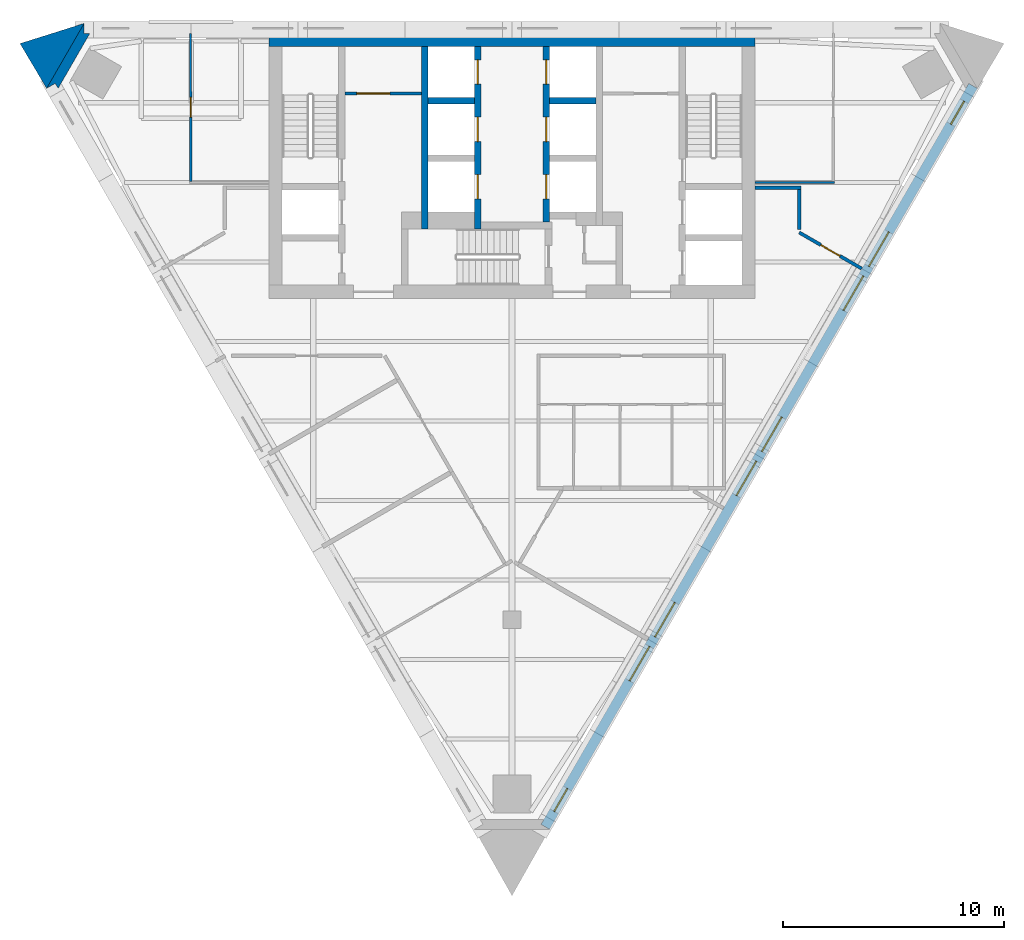
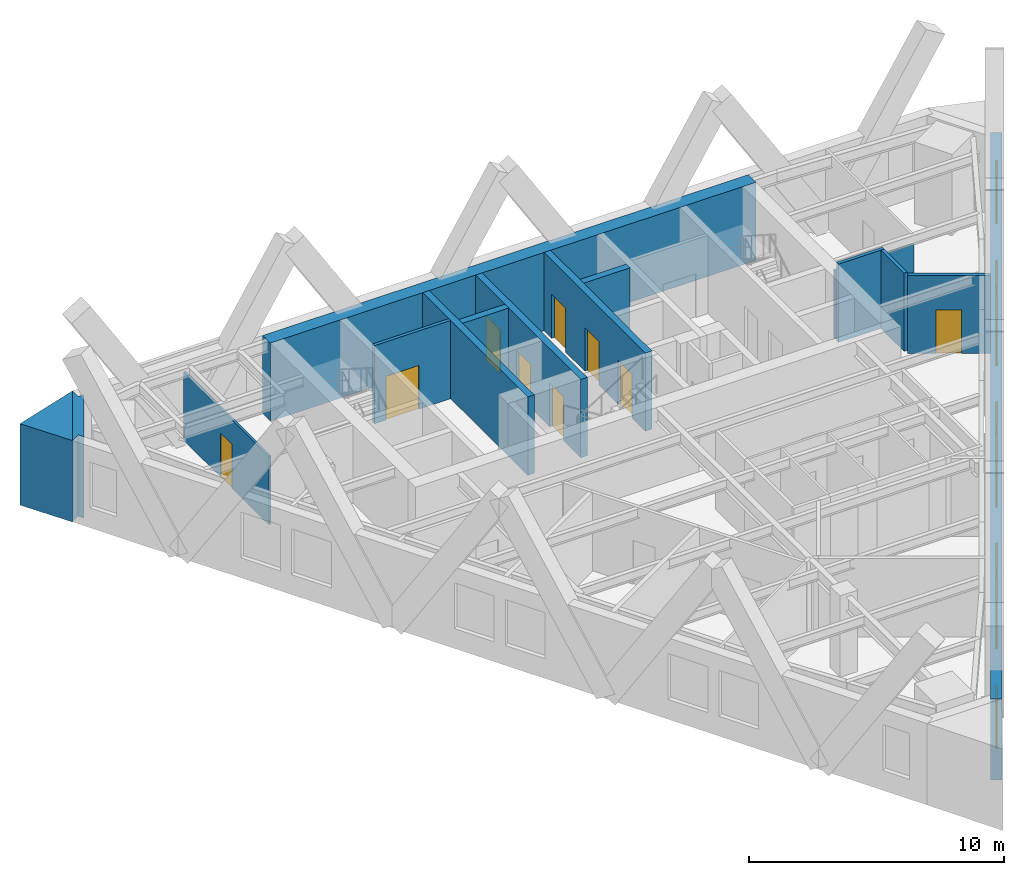
# One storey, part 5 of 7: 15 walls, 9 doors, 8 windows, 17 openings.
"""IFC4 building model written with IfcOpenShell, lengths in metres."""

from ifc_helpers import new_model, si_unit, direction, frame, frame_2d, origin, place, context, subcontext, project, spatial, polyline, rectangle, outline, extrude, material, layer, layer_set, type_object, element, fill, save


model = new_model("IFC4")

# Units and contexts
model_context = context("Model", 3, precision=1e-05, world=origin(), true_north=direction((0.0, 1.0)))
body_context = subcontext(model_context, "Body", "Model", "MODEL_VIEW")
ifc_project = project(units=[si_unit("LENGTHUNIT", "METRE"), si_unit("AREAUNIT", "SQUARE_METRE"), si_unit("VOLUMEUNIT", "CUBIC_METRE"), si_unit("PLANEANGLEUNIT", "RADIAN"), si_unit("MASSUNIT", "GRAM", prefix="KILO")], contexts=[model_context])

# Site, building, storey
site_placement = place(None, origin())
site = spatial("IfcSite", under=ifc_project, at=site_placement, CompositionType="ELEMENT")
building_placement = place(site_placement, origin())
building = spatial("IfcBuilding", under=site, at=building_placement, Name="Aloe Facet Convention Tower", CompositionType="ELEMENT")
storey_placement = place(building_placement, frame((0.0, 0.0, 188.0)))
storey = spatial("IfcBuildingStorey", under=building, at=storey_placement, Name="L47", CompositionType="ELEMENT", Elevation=188.0)

# Wall, opening, door
ifc_material_1 = material(Name="Concrete blockwork partition", Category="masonry")
ifc_layer_1 = layer(ifc_material_1, 0.14990234375)
ifc_layer_set_1 = layer_set([ifc_layer_1], Name="CR-W-PART150")
wall_type_1 = type_object("IfcWallType", Name="CR-W-PART150", PredefinedType="PARTITIONING", material=ifc_layer_set_1)
wall_1_placement = place(storey_placement, frame((72.449951171875, 131.824951171875, 0.0), z_axis=(0.0, 0.0, 1.0), x_axis=(1.0, 0.0, 0.0)))
wall_1 = element("IfcWall", 1, at=wall_1_placement, inside=storey, type_object=wall_type_1, Name="Core partition L47-007", PredefinedType="PARTITIONING", context=body_context, shape_type="SweptSolid", body=[
    extrude(rectangle(XDim=3.449951171875, YDim=0.14990234375, at=frame_2d((1.72509765625, 0.0))), origin(), (0.0, 0.0, 1.0), 3.75),
])
opening_1_placement = place(wall_1_placement, frame((0.52490234375, 0.0, 0.0)))
opening_1 = element("IfcOpeningElement", 2, at=opening_1_placement, cuts=wall_1, Name="Opening L47-CD14", PredefinedType="OPENING", context=body_context, shape_type="SweptSolid", body=[
    extrude(rectangle(XDim=1.5, YDim=2.10009765625, at=frame_2d((0.75, 1.050048828125))), frame((0.0, 0.0849609375, 0.0), z_axis=(0.0, -1.0, 0.0), x_axis=(1.0, 0.0, 0.0)), (0.0, 0.0, 1.0), 0.169921875),
])
ifc_material_2 = material(Name="Steel fire-resisting door set FD60", Category="steel")
door_type_1 = type_object("IfcDoorType", Name="CR-D-REFUGE-1500-FD60-DD", OperationType="DOUBLE_DOOR_DOUBLE_SWING", PredefinedType="DOOR", material=ifc_material_2)
door_1_placement = place(opening_1_placement, origin())
door_1 = element("IfcDoor", 3, at=door_1_placement, inside=storey, type_object=door_type_1, Name="Core door L47-CD14", OperationType="DOUBLE_DOOR_DOUBLE_SWING", OverallHeight=2.10009765625, OverallWidth=1.5, PredefinedType="DOOR", context=body_context, shape_type="SweptSolid", body=[
    extrude(rectangle(XDim=1.5, YDim=2.10009765625, at=frame_2d((0.75, 1.050048828125))), frame((0.0, 0.02490234375, 0.0), z_axis=(0.0, -1.0, 0.0), x_axis=(1.0, 0.0, 0.0)), (0.0, 0.0, 1.0), 0.050048828125),
])
fill(opening_1, door_1)

# Walls
ifc_material_3 = material(Name="Concrete C50/60", Category="concrete")
ifc_layer_2 = layer(ifc_material_3, 0.300048828125)
ifc_layer_set_2 = layer_set([ifc_layer_2], Name="CR-W-RC300-C5060")
wall_type_2 = type_object("IfcWallType", Name="CR-W-RC300-C5060", PredefinedType="SOLIDWALL", material=ifc_layer_set_2)
wall_2_placement = place(storey_placement, frame((76.050048828125, 133.949951171875, 0.0), z_axis=(0.0, 0.0, 1.0), x_axis=(0.0, -1.0, 0.0)))
element("IfcWall", 4, at=wall_2_placement, inside=storey, type_object=wall_type_2, Name="Core wall L47-010", PredefinedType="SOLIDWALL", context=body_context, shape_type="SweptSolid", body=[
    extrude(rectangle(XDim=8.25, YDim=0.300048828125, at=frame_2d((4.125, 0.0))), origin(), (0.0, 0.0, 1.0), 3.75),
])
wall_3_placement = place(storey_placement, frame((76.199951171875, 131.5, 0.0), z_axis=(0.0, 0.0, 1.0), x_axis=(1.0, 0.0, 0.0)))
element("IfcWall", 5, at=wall_3_placement, inside=storey, type_object=wall_type_2, Name="Core wall L47-011", PredefinedType="SOLIDWALL", context=body_context, shape_type="SweptSolid", body=[
    extrude(rectangle(XDim=2.10009765625, YDim=0.300048828125, at=frame_2d((1.050048828125, 0.0))), origin(), (0.0, 0.0, 1.0), 3.75),
])

# Wall, openings, doors
wall_4_placement = place(storey_placement, frame((78.449951171875, 133.949951171875, 0.0), z_axis=(0.0, 0.0, 1.0), x_axis=(0.0, -1.0, 0.0)))
wall_4 = element("IfcWall", 6, at=wall_4_placement, inside=storey, type_object=wall_type_2, Name="Core wall L47-014", PredefinedType="SOLIDWALL", context=body_context, shape_type="SweptSolid", body=[
    extrude(rectangle(XDim=8.25, YDim=0.300048828125, at=frame_2d((4.125, 0.0))), origin(), (0.0, 0.0, 1.0), 3.75),
])
opening_2_placement = place(wall_4_placement, frame((0.60009765625, 0.0, 0.0)))
opening_2 = element("IfcOpeningElement", 7, at=opening_2_placement, cuts=wall_4, Name="Opening LD-B1-L47", PredefinedType="OPENING", context=body_context, shape_type="SweptSolid", body=[
    extrude(rectangle(XDim=1.10009765625, YDim=2.10009765625, at=frame_2d((0.550048828125, 1.050048828125))), frame((0.0, 0.16015625, 0.0), z_axis=(0.0, -1.0, 0.0), x_axis=(1.0, 0.0, 0.0)), (0.0, 0.0, 1.0), 0.320068359375),
])
opening_3_placement = place(wall_4_placement, frame((3.199951171875, 0.0, 0.0)))
opening_3 = element("IfcOpeningElement", 8, at=opening_3_placement, cuts=wall_4, Name="Opening LD-B2-L47", PredefinedType="OPENING", context=body_context, shape_type="SweptSolid", body=[
    extrude(rectangle(XDim=1.10009765625, YDim=2.10009765625, at=frame_2d((0.550048828125, 1.050048828125))), frame((0.0, 0.16015625, 0.0), z_axis=(0.0, -1.0, 0.0), x_axis=(1.0, 0.0, 0.0)), (0.0, 0.0, 1.0), 0.320068359375),
])
opening_4_placement = place(wall_4_placement, frame((5.800048828125, 0.0, 0.0)))
opening_4 = element("IfcOpeningElement", 9, at=opening_4_placement, cuts=wall_4, Name="Opening LD-B3-L47", PredefinedType="OPENING", context=body_context, shape_type="SweptSolid", body=[
    extrude(rectangle(XDim=1.10009765625, YDim=2.10009765625, at=frame_2d((0.550048828125, 1.050048828125))), frame((0.0, 0.16015625, 0.0), z_axis=(0.0, -1.0, 0.0), x_axis=(1.0, 0.0, 0.0)), (0.0, 0.0, 1.0), 0.320068359375),
])
ifc_material_4 = material(Name="Stainless steel sliding landing door", Category="steel")
door_type_2 = type_object("IfcDoorType", Name="CR-LD-1100-FD60-RIGHT", OperationType="SLIDING_TO_RIGHT", PredefinedType="DOOR", material=ifc_material_4)
door_2_placement = place(opening_2_placement, origin())
door_2 = element("IfcDoor", 10, at=door_2_placement, inside=storey, type_object=door_type_2, Name="Landing door B1 L47", OperationType="SLIDING_TO_RIGHT", OverallHeight=2.10009765625, OverallWidth=1.10009765625, PredefinedType="DOOR", context=body_context, shape_type="SweptSolid", body=[
    extrude(rectangle(XDim=1.10009765625, YDim=2.10009765625, at=frame_2d((0.550048828125, 1.050048828125))), frame((0.0, 0.02490234375, 0.0), z_axis=(0.0, -1.0, 0.0), x_axis=(1.0, 0.0, 0.0)), (0.0, 0.0, 1.0), 0.050048828125),
])
fill(opening_2, door_2)
door_3_placement = place(opening_3_placement, origin())
door_3 = element("IfcDoor", 11, at=door_3_placement, inside=storey, type_object=door_type_2, Name="Landing door B2 L47", OperationType="SLIDING_TO_RIGHT", OverallHeight=2.10009765625, OverallWidth=1.10009765625, PredefinedType="DOOR", context=body_context, shape_type="SweptSolid", body=[
    extrude(rectangle(XDim=1.10009765625, YDim=2.10009765625, at=frame_2d((0.550048828125, 1.050048828125))), frame((0.0, 0.02490234375, 0.0), z_axis=(0.0, -1.0, 0.0), x_axis=(1.0, 0.0, 0.0)), (0.0, 0.0, 1.0), 0.050048828125),
])
fill(opening_3, door_3)
door_4_placement = place(opening_4_placement, origin())
door_4 = element("IfcDoor", 12, at=door_4_placement, inside=storey, type_object=door_type_2, Name="Landing door B3 L47", OperationType="SLIDING_TO_RIGHT", OverallHeight=2.10009765625, OverallWidth=1.10009765625, PredefinedType="DOOR", context=body_context, shape_type="SweptSolid", body=[
    extrude(rectangle(XDim=1.10009765625, YDim=2.10009765625, at=frame_2d((0.550048828125, 1.050048828125))), frame((0.0, 0.02490234375, 0.0), z_axis=(0.0, -1.0, 0.0), x_axis=(1.0, 0.0, 0.0)), (0.0, 0.0, 1.0), 0.050048828125),
])
fill(opening_4, door_4)

wall_5_placement = place(storey_placement, frame((81.550048828125, 133.949951171875, 0.0), z_axis=(0.0, 0.0, 1.0), x_axis=(0.0, -1.0, 0.0)))
wall_5 = element("IfcWall", 13, at=wall_5_placement, inside=storey, type_object=wall_type_2, Name="Core wall L47-016", PredefinedType="SOLIDWALL", context=body_context, shape_type="SweptSolid", body=[
    extrude(rectangle(XDim=7.949951171875, YDim=0.300048828125, at=frame_2d((3.97509765625, 0.0))), origin(), (0.0, 0.0, 1.0), 3.75),
])
opening_5_placement = place(wall_5_placement, frame((0.60009765625, 0.0, 0.0)))
opening_5 = element("IfcOpeningElement", 14, at=opening_5_placement, cuts=wall_5, Name="Opening LD-B4-L47", PredefinedType="OPENING", context=body_context, shape_type="SweptSolid", body=[
    extrude(rectangle(XDim=1.10009765625, YDim=2.10009765625, at=frame_2d((0.550048828125, 1.050048828125))), frame((0.0, 0.16015625, 0.0), z_axis=(0.0, -1.0, 0.0), x_axis=(1.0, 0.0, 0.0)), (0.0, 0.0, 1.0), 0.320068359375),
])
opening_6_placement = place(wall_5_placement, frame((3.199951171875, 0.0, 0.0)))
opening_6 = element("IfcOpeningElement", 15, at=opening_6_placement, cuts=wall_5, Name="Opening LD-B5-L47", PredefinedType="OPENING", context=body_context, shape_type="SweptSolid", body=[
    extrude(rectangle(XDim=1.10009765625, YDim=2.10009765625, at=frame_2d((0.550048828125, 1.050048828125))), frame((0.0, 0.16015625, 0.0), z_axis=(0.0, -1.0, 0.0), x_axis=(1.0, 0.0, 0.0)), (0.0, 0.0, 1.0), 0.320068359375),
])
opening_7_placement = place(wall_5_placement, frame((5.800048828125, 0.0, 0.0)))
opening_7 = element("IfcOpeningElement", 16, at=opening_7_placement, cuts=wall_5, Name="Opening LD-B6-L47", PredefinedType="OPENING", context=body_context, shape_type="SweptSolid", body=[
    extrude(rectangle(XDim=1.10009765625, YDim=2.10009765625, at=frame_2d((0.550048828125, 1.050048828125))), frame((0.0, 0.16015625, 0.0), z_axis=(0.0, -1.0, 0.0), x_axis=(1.0, 0.0, 0.0)), (0.0, 0.0, 1.0), 0.320068359375),
])
ifc_material_5 = material(Name="Stainless steel sliding landing door", Category="steel")
door_type_3 = type_object("IfcDoorType", Name="CR-LD-1100-FD60-_LEFT", OperationType="SLIDING_TO_LEFT", PredefinedType="DOOR", material=ifc_material_5)
door_5_placement = place(opening_5_placement, origin())
door_5 = element("IfcDoor", 17, at=door_5_placement, inside=storey, type_object=door_type_3, Name="Landing door B4 L47", OperationType="SLIDING_TO_LEFT", OverallHeight=2.10009765625, OverallWidth=1.10009765625, PredefinedType="DOOR", context=body_context, shape_type="SweptSolid", body=[
    extrude(rectangle(XDim=1.10009765625, YDim=2.10009765625, at=frame_2d((0.550048828125, 1.050048828125))), frame((0.0, 0.02490234375, 0.0), z_axis=(0.0, -1.0, 0.0), x_axis=(1.0, 0.0, 0.0)), (0.0, 0.0, 1.0), 0.050048828125),
])
fill(opening_5, door_5)
door_6_placement = place(opening_6_placement, origin())
door_6 = element("IfcDoor", 18, at=door_6_placement, inside=storey, type_object=door_type_3, Name="Landing door B5 L47", OperationType="SLIDING_TO_LEFT", OverallHeight=2.10009765625, OverallWidth=1.10009765625, PredefinedType="DOOR", context=body_context, shape_type="SweptSolid", body=[
    extrude(rectangle(XDim=1.10009765625, YDim=2.10009765625, at=frame_2d((0.550048828125, 1.050048828125))), frame((0.0, 0.02490234375, 0.0), z_axis=(0.0, -1.0, 0.0), x_axis=(1.0, 0.0, 0.0)), (0.0, 0.0, 1.0), 0.050048828125),
])
fill(opening_6, door_6)
door_7_placement = place(opening_7_placement, origin())
door_7 = element("IfcDoor", 19, at=door_7_placement, inside=storey, type_object=door_type_3, Name="Landing door B6 L47", OperationType="SLIDING_TO_LEFT", OverallHeight=2.10009765625, OverallWidth=1.10009765625, PredefinedType="DOOR", context=body_context, shape_type="SweptSolid", body=[
    extrude(rectangle(XDim=1.10009765625, YDim=2.10009765625, at=frame_2d((0.550048828125, 1.050048828125))), frame((0.0, 0.02490234375, 0.0), z_axis=(0.0, -1.0, 0.0), x_axis=(1.0, 0.0, 0.0)), (0.0, 0.0, 1.0), 0.050048828125),
])
fill(opening_7, door_7)

# Walls
wall_6_placement = place(storey_placement, frame((81.699951171875, 131.5, 0.0), z_axis=(0.0, 0.0, 1.0), x_axis=(1.0, 0.0, 0.0)))
element("IfcWall", 20, at=wall_6_placement, inside=storey, type_object=wall_type_2, Name="Core wall L47-018", PredefinedType="SOLIDWALL", context=body_context, shape_type="SweptSolid", body=[
    extrude(rectangle(XDim=2.10009765625, YDim=0.300048828125, at=frame_2d((1.050048828125, 0.0))), origin(), (0.0, 0.0, 1.0), 3.75),
])
ifc_material_6 = material(Name="Concrete C50/60", Category="concrete")
ifc_layer_3 = layer(ifc_material_6, 0.60009765625)
ifc_layer_set_3 = layer_set([ifc_layer_3], Name="CR-W-RC600-C5060")
wall_type_3 = type_object("IfcWallType", Name="CR-W-RC600-C5060", PredefinedType="SOLIDWALL", material=ifc_layer_set_3)
wall_7_placement = place(storey_placement, frame((69.0, 134.25, 0.0), z_axis=(0.0, 0.0, 1.0), x_axis=(1.0, 0.0, 0.0)))
element("IfcWall", 21, at=wall_7_placement, inside=storey, type_object=wall_type_3, Name="Core wall L47-001", PredefinedType="SOLIDWALL", context=body_context, shape_type="SweptSolid", body=[
    extrude(rectangle(XDim=22.0, YDim=0.60009765625, at=frame_2d((11.0, 0.0))), origin(), (0.0, 0.0, 1.0), 3.75),
])
ifc_material_7 = material(Name="Precast concrete C40/50", Category="concrete")
ifc_layer_4 = layer(ifc_material_7, 0.449951171875)
ifc_layer_set_4 = layer_set([ifc_layer_4], Name="EV-WALL-PIER")
wall_type_4 = type_object("IfcWallType", Name="EV-WALL-PIER", PredefinedType="SOLIDWALL", material=ifc_layer_set_4)
wall_8_placement = place(storey_placement, frame((0.0, 0.0, -0.14990234375)))
element("IfcWall", 22, at=wall_8_placement, inside=storey, type_object=wall_type_4, Name="EP-L47-A", PredefinedType="SOLIDWALL", context=body_context, shape_type="SweptSolid", body=[
    extrude(outline(polyline([(60.635498046875, 135.0), (60.635498046875, 134.550048828125), (60.895263671875, 134.550048828125), (59.455078125, 132.055419921875), (59.3251953125, 132.280517578125), (58.935302734375, 132.055419921875), (60.635498046875, 135.0)])), origin(), (0.0, 0.0, 1.0), 3.89990234375),
])
ifc_material_8 = material(Name="Precast concrete C40/50", Category="concrete")
ifc_layer_5 = layer(ifc_material_8, 3.947998046875)
ifc_layer_set_5 = layer_set([ifc_layer_5], Name="EV-WALL-SPINE")
wall_type_5 = type_object("IfcWallType", Name="EV-WALL-SPINE", PredefinedType="SOLIDWALL", material=ifc_layer_set_5)
wall_9_placement = place(storey_placement, frame((0.0, 0.0, -0.14990234375)))
element("IfcWall", 23, at=wall_9_placement, inside=storey, type_object=wall_type_5, Name="SP-NW-L47", PredefinedType="SOLIDWALL", context=body_context, shape_type="SweptSolid", body=[
    extrude(outline(polyline([(60.635498046875, 135.0), (57.72998046875, 134.08349609375), (58.935302734375, 132.055419921875), (60.635498046875, 135.0)])), origin(), (0.0, 0.0, 1.0), 3.89990234375),
])

# Wall, openings, windows
ifc_material_9 = material(Name="Precast concrete C40/50", Category="concrete")
ifc_layer_6 = layer(ifc_material_9, 0.449951171875)
ifc_layer_set_6 = layer_set([ifc_layer_6], Name="EV-WALL-STONE")
wall_type_6 = type_object("IfcWallType", Name="EV-WALL-STONE", PredefinedType="SOLIDWALL", material=ifc_layer_set_6)
wall_10_placement = place(storey_placement, frame((81.505126953125, 98.62744140625, -0.14990234375), z_axis=(0.0, 0.0, 1.0), x_axis=(0.500002199942, 0.866024133644, 0.0)))
wall_10 = element("IfcWall", 24, at=wall_10_placement, inside=storey, type_object=wall_type_6, Name="EW-L47-E01", PredefinedType="SOLIDWALL", context=body_context, shape_type="SweptSolid", body=[
    extrude(outline(polyline([(38.729248046875, 0.0), (38.729248046875, 3.89990234375), (0.0, 3.89990234375), (0.0, 0.0), (38.729248046875, 0.0)])), frame((0.0, 0.22509765625, 0.0), z_axis=(0.0, -1.0, 0.0), x_axis=(1.0, 0.0, 0.0)), (0.0, 0.0, 1.0), 0.449951171875),
])
opening_8_placement = place(wall_10_placement, frame((0.80712890625, 0.0, 0.949951171875)))
opening_8 = element("IfcOpeningElement", 25, at=opening_8_placement, cuts=wall_10, Name="Opening W-L47-E01", PredefinedType="OPENING", context=body_context, shape_type="SweptSolid", body=[
    extrude(rectangle(XDim=1.199951171875, YDim=2.199951171875, at=frame_2d((0.60009765625, 1.10009765625))), frame((0.0, 0.23486328125, 0.0), z_axis=(0.0, -1.0, 0.0), x_axis=(1.0, 0.0, 0.0)), (0.0, 0.0, 1.0), 0.469970703125),
])
opening_9_placement = place(wall_10_placement, frame((7.63232421875, 0.0, 0.949951171875)))
opening_9 = element("IfcOpeningElement", 26, at=opening_9_placement, cuts=wall_10, Name="Opening W-L47-E02", PredefinedType="OPENING", context=body_context, shape_type="SweptSolid", body=[
    extrude(rectangle(XDim=1.800048828125, YDim=2.199951171875, at=frame_2d((0.89990234375, 1.10009765625))), frame((0.0, 0.23486328125, 0.0), z_axis=(0.0, -1.0, 0.0), x_axis=(1.0, 0.0, 0.0)), (0.0, 0.0, 1.0), 0.469970703125),
])
opening_10_placement = place(wall_10_placement, frame((9.932373046875, 0.0, 0.949951171875)))
opening_10 = element("IfcOpeningElement", 27, at=opening_10_placement, cuts=wall_10, Name="Opening W-L47-E03", PredefinedType="OPENING", context=body_context, shape_type="SweptSolid", body=[
    extrude(rectangle(XDim=1.800048828125, YDim=2.199951171875, at=frame_2d((0.89990234375, 1.10009765625))), frame((0.0, 0.23486328125, 0.0), z_axis=(0.0, -1.0, 0.0), x_axis=(1.0, 0.0, 0.0)), (0.0, 0.0, 1.0), 0.469970703125),
])
opening_11_placement = place(wall_10_placement, frame((17.314697265625, 0.0, 0.949951171875)))
opening_11 = element("IfcOpeningElement", 28, at=opening_11_placement, cuts=wall_10, Name="Opening W-L47-E04", PredefinedType="OPENING", context=body_context, shape_type="SweptSolid", body=[
    extrude(rectangle(XDim=1.800048828125, YDim=2.199951171875, at=frame_2d((0.89990234375, 1.10009765625))), frame((0.0, 0.23486328125, 0.0), z_axis=(0.0, -1.0, 0.0), x_axis=(1.0, 0.0, 0.0)), (0.0, 0.0, 1.0), 0.469970703125),
])
opening_12_placement = place(wall_10_placement, frame((19.614501953125, 0.0, 0.949951171875)))
opening_12 = element("IfcOpeningElement", 29, at=opening_12_placement, cuts=wall_10, Name="Opening W-L47-E05", PredefinedType="OPENING", context=body_context, shape_type="SweptSolid", body=[
    extrude(rectangle(XDim=1.800048828125, YDim=2.199951171875, at=frame_2d((0.89990234375, 1.10009765625))), frame((0.0, 0.23486328125, 0.0), z_axis=(0.0, -1.0, 0.0), x_axis=(1.0, 0.0, 0.0)), (0.0, 0.0, 1.0), 0.469970703125),
])
opening_13_placement = place(wall_10_placement, frame((26.996826171875, 0.0, 0.949951171875)))
opening_13 = element("IfcOpeningElement", 30, at=opening_13_placement, cuts=wall_10, Name="Opening W-L47-E06", PredefinedType="OPENING", context=body_context, shape_type="SweptSolid", body=[
    extrude(rectangle(XDim=1.800048828125, YDim=2.199951171875, at=frame_2d((0.89990234375, 1.10009765625))), frame((0.0, 0.23486328125, 0.0), z_axis=(0.0, -1.0, 0.0), x_axis=(1.0, 0.0, 0.0)), (0.0, 0.0, 1.0), 0.469970703125),
])
opening_14_placement = place(wall_10_placement, frame((29.296875, 0.0, 0.949951171875)))
opening_14 = element("IfcOpeningElement", 31, at=opening_14_placement, cuts=wall_10, Name="Opening W-L47-E07", PredefinedType="OPENING", context=body_context, shape_type="SweptSolid", body=[
    extrude(rectangle(XDim=1.800048828125, YDim=2.199951171875, at=frame_2d((0.89990234375, 1.10009765625))), frame((0.0, 0.23486328125, 0.0), z_axis=(0.0, -1.0, 0.0), x_axis=(1.0, 0.0, 0.0)), (0.0, 0.0, 1.0), 0.469970703125),
])
opening_15_placement = place(wall_10_placement, frame((36.72216796875, 0.0, 0.949951171875)))
opening_15 = element("IfcOpeningElement", 32, at=opening_15_placement, cuts=wall_10, Name="Opening W-L47-E08", PredefinedType="OPENING", context=body_context, shape_type="SweptSolid", body=[
    extrude(rectangle(XDim=1.199951171875, YDim=2.199951171875, at=frame_2d((0.60009765625, 1.10009765625))), frame((0.0, 0.23486328125, 0.0), z_axis=(0.0, -1.0, 0.0), x_axis=(1.0, 0.0, 0.0)), (0.0, 0.0, 1.0), 0.469970703125),
])
ifc_material_10 = material(Name="Aluminium frame, clear double glazing", Category="aluminium")
window_type_1 = type_object("IfcWindowType", Name="EV-WIN-O12", PartitioningType="SINGLE_PANEL", PredefinedType="WINDOW", material=ifc_material_10)
window_1_placement = place(opening_8_placement, origin())
window_1 = element("IfcWindow", 33, at=window_1_placement, inside=storey, type_object=window_type_1, Name="W-L47-E01", OverallHeight=2.199951171875, OverallWidth=1.199951171875, PartitioningType="SINGLE_PANEL", PredefinedType="WINDOW", context=body_context, shape_type="SweptSolid", body=[
    extrude(rectangle(XDim=1.199951171875, YDim=2.199951171875, at=frame_2d((0.60009765625, 1.10009765625))), frame((0.0, 0.030029296875, 0.0), z_axis=(0.0, -1.0, 0.0), x_axis=(1.0, 0.0, 0.0)), (0.0, 0.0, 1.0), 0.06005859375),
])
fill(opening_8, window_1)
window_2_placement = place(opening_15_placement, origin())
window_2 = element("IfcWindow", 34, at=window_2_placement, inside=storey, type_object=window_type_1, Name="W-L47-E08", OverallHeight=2.199951171875, OverallWidth=1.199951171875, PartitioningType="SINGLE_PANEL", PredefinedType="WINDOW", context=body_context, shape_type="SweptSolid", body=[
    extrude(rectangle(XDim=1.199951171875, YDim=2.199951171875, at=frame_2d((0.60009765625, 1.10009765625))), frame((0.0, 0.030029296875, 0.0), z_axis=(0.0, -1.0, 0.0), x_axis=(1.0, 0.0, 0.0)), (0.0, 0.0, 1.0), 0.06005859375),
])
fill(opening_15, window_2)
ifc_material_11 = material(Name="Aluminium frame, clear double glazing", Category="aluminium")
window_type_2 = type_object("IfcWindowType", Name="EV-WIN-O18", PartitioningType="SINGLE_PANEL", PredefinedType="WINDOW", material=ifc_material_11)
window_3_placement = place(opening_9_placement, origin())
window_3 = element("IfcWindow", 35, at=window_3_placement, inside=storey, type_object=window_type_2, Name="W-L47-E02", OverallHeight=2.199951171875, OverallWidth=1.800048828125, PartitioningType="SINGLE_PANEL", PredefinedType="WINDOW", context=body_context, shape_type="SweptSolid", body=[
    extrude(rectangle(XDim=1.800048828125, YDim=2.199951171875, at=frame_2d((0.89990234375, 1.10009765625))), frame((0.0, 0.030029296875, 0.0), z_axis=(0.0, -1.0, 0.0), x_axis=(1.0, 0.0, 0.0)), (0.0, 0.0, 1.0), 0.06005859375),
])
fill(opening_9, window_3)
window_4_placement = place(opening_10_placement, origin())
window_4 = element("IfcWindow", 36, at=window_4_placement, inside=storey, type_object=window_type_2, Name="W-L47-E03", OverallHeight=2.199951171875, OverallWidth=1.800048828125, PartitioningType="SINGLE_PANEL", PredefinedType="WINDOW", context=body_context, shape_type="SweptSolid", body=[
    extrude(rectangle(XDim=1.800048828125, YDim=2.199951171875, at=frame_2d((0.89990234375, 1.10009765625))), frame((0.0, 0.030029296875, 0.0), z_axis=(0.0, -1.0, 0.0), x_axis=(1.0, 0.0, 0.0)), (0.0, 0.0, 1.0), 0.06005859375),
])
fill(opening_10, window_4)
window_5_placement = place(opening_11_placement, origin())
window_5 = element("IfcWindow", 37, at=window_5_placement, inside=storey, type_object=window_type_2, Name="W-L47-E04", OverallHeight=2.199951171875, OverallWidth=1.800048828125, PartitioningType="SINGLE_PANEL", PredefinedType="WINDOW", context=body_context, shape_type="SweptSolid", body=[
    extrude(rectangle(XDim=1.800048828125, YDim=2.199951171875, at=frame_2d((0.89990234375, 1.10009765625))), frame((0.0, 0.030029296875, 0.0), z_axis=(0.0, -1.0, 0.0), x_axis=(1.0, 0.0, 0.0)), (0.0, 0.0, 1.0), 0.06005859375),
])
fill(opening_11, window_5)
window_6_placement = place(opening_12_placement, origin())
window_6 = element("IfcWindow", 38, at=window_6_placement, inside=storey, type_object=window_type_2, Name="W-L47-E05", OverallHeight=2.199951171875, OverallWidth=1.800048828125, PartitioningType="SINGLE_PANEL", PredefinedType="WINDOW", context=body_context, shape_type="SweptSolid", body=[
    extrude(rectangle(XDim=1.800048828125, YDim=2.199951171875, at=frame_2d((0.89990234375, 1.10009765625))), frame((0.0, 0.030029296875, 0.0), z_axis=(0.0, -1.0, 0.0), x_axis=(1.0, 0.0, 0.0)), (0.0, 0.0, 1.0), 0.06005859375),
])
fill(opening_12, window_6)
window_7_placement = place(opening_13_placement, origin())
window_7 = element("IfcWindow", 39, at=window_7_placement, inside=storey, type_object=window_type_2, Name="W-L47-E06", OverallHeight=2.199951171875, OverallWidth=1.800048828125, PartitioningType="SINGLE_PANEL", PredefinedType="WINDOW", context=body_context, shape_type="SweptSolid", body=[
    extrude(rectangle(XDim=1.800048828125, YDim=2.199951171875, at=frame_2d((0.89990234375, 1.10009765625))), frame((0.0, 0.030029296875, 0.0), z_axis=(0.0, -1.0, 0.0), x_axis=(1.0, 0.0, 0.0)), (0.0, 0.0, 1.0), 0.06005859375),
])
fill(opening_13, window_7)
window_8_placement = place(opening_14_placement, origin())
window_8 = element("IfcWindow", 40, at=window_8_placement, inside=storey, type_object=window_type_2, Name="W-L47-E07", OverallHeight=2.199951171875, OverallWidth=1.800048828125, PartitioningType="SINGLE_PANEL", PredefinedType="WINDOW", context=body_context, shape_type="SweptSolid", body=[
    extrude(rectangle(XDim=1.800048828125, YDim=2.199951171875, at=frame_2d((0.89990234375, 1.10009765625))), frame((0.0, 0.030029296875, 0.0), z_axis=(0.0, -1.0, 0.0), x_axis=(1.0, 0.0, 0.0)), (0.0, 0.0, 1.0), 0.06005859375),
])
fill(opening_14, window_8)

# Wall, opening, door
ifc_material_12 = material(Name="Gypsum board partition on steel studs", Category="steel")
ifc_layer_7 = layer(ifc_material_12, 0.14990234375)
ifc_layer_set_7 = layer_set([ifc_layer_7], Name="IN-W-CORR")
wall_type_7 = type_object("IfcWallType", Name="IN-W-CORR", PredefinedType="PARTITIONING", material=ifc_layer_set_7)
wall_11_placement = place(storey_placement, frame((93.0009765625, 125.53076171875, 0.0), z_axis=(0.0, 0.0, 1.0), x_axis=(0.866032230194, -0.499988176125, 0.0)))
wall_11 = element("IfcWall", 41, at=wall_11_placement, inside=storey, type_object=wall_type_7, Name="Partition L47-W034", PredefinedType="PARTITIONING", context=body_context, shape_type="SweptSolid", body=[
    extrude(rectangle(XDim=3.2607421875, YDim=0.14990234375, at=frame_2d((1.63037109375, 0.0))), origin(), (0.0, 0.0, 1.0), 3.75),
])
opening_16_placement = place(wall_11_placement, frame((1.13037109375, 0.0, 0.0)))
opening_16 = element("IfcOpeningElement", 42, at=opening_16_placement, cuts=wall_11, Name="Opening L47-013", PredefinedType="OPENING", context=body_context, shape_type="SweptSolid", body=[
    extrude(rectangle(XDim=1.0, YDim=2.10009765625, at=frame_2d((0.5, 1.050048828125))), frame((0.0, 0.0849609375, 0.0), z_axis=(0.0, -1.0, 0.0), x_axis=(1.0, 0.0, 0.0)), (0.0, 0.0, 1.0), 0.169921875),
])
ifc_material_13 = material(Name="Timber door FD30S with vision panel", Category="wood")
door_type_4 = type_object("IfcDoorType", Name="IN-OFF-D-ENTRY", OperationType="SINGLE_SWING_LEFT", PredefinedType="DOOR", material=ifc_material_13)
door_8_placement = place(opening_16_placement, origin())
door_8 = element("IfcDoor", 43, at=door_8_placement, inside=storey, type_object=door_type_4, Name="Door L47-013", OperationType="SINGLE_SWING_LEFT", OverallHeight=2.10009765625, OverallWidth=1.0, PredefinedType="DOOR", context=body_context, shape_type="SweptSolid", body=[
    extrude(rectangle(XDim=1.0, YDim=2.10009765625, at=frame_2d((0.5, 1.050048828125))), frame((0.0, 0.02490234375, 0.0), z_axis=(0.0, -1.0, 0.0), x_axis=(1.0, 0.0, 0.0)), (0.0, 0.0, 1.0), 0.050048828125),
])
fill(opening_16, door_8)

# Walls
wall_12_placement = place(storey_placement, frame((91.0, 127.550048828125, 0.0), z_axis=(0.0, 0.0, 1.0), x_axis=(1.0, 0.0, 0.0)))
element("IfcWall", 44, at=wall_12_placement, inside=storey, type_object=wall_type_7, Name="Partition L47-W037", PredefinedType="PARTITIONING", context=body_context, shape_type="SweptSolid", body=[
    extrude(rectangle(XDim=2.074951171875, YDim=0.14990234375, at=frame_2d((1.03759765625, 0.0))), origin(), (0.0, 0.0, 1.0), 3.75),
])
wall_13_placement = place(storey_placement, frame((93.0009765625, 125.660888671875, 0.0), z_axis=(0.0, 0.0, 1.0), x_axis=(-0.000538285483, 0.999999855124, 0.0)))
element("IfcWall", 45, at=wall_13_placement, inside=storey, type_object=wall_type_7, Name="Partition L47-W038", PredefinedType="PARTITIONING", context=body_context, shape_type="SweptSolid", body=[
    extrude(rectangle(XDim=1.814208984375, YDim=0.14990234375, at=frame_2d((0.9072265625, 0.0))), origin(), (0.0, 0.0, 1.0), 3.75),
])
ifc_material_14 = material(Name="Gypsum board partition on steel studs", Category="steel")
ifc_layer_8 = layer(ifc_material_14, 0.10009765625)
ifc_layer_set_8 = layer_set([ifc_layer_8], Name="IN-W-PART")
wall_type_8 = type_object("IfcWallType", Name="IN-W-PART", PredefinedType="PARTITIONING", material=ifc_layer_set_8)
wall_14_placement = place(storey_placement, frame((91.0, 127.800048828125, 0.0), z_axis=(0.0, 0.0, 1.0), x_axis=(1.0, 0.0, 0.0)))
element("IfcWall", 46, at=wall_14_placement, inside=storey, type_object=wall_type_8, Name="Partition L47-W040", PredefinedType="PARTITIONING", context=body_context, shape_type="SweptSolid", body=[
    extrude(rectangle(XDim=3.593017578125, YDim=0.10009765625, at=frame_2d((1.79638671875, 0.0))), origin(), (0.0, 0.0, 1.0), 3.280029296875),
])

# Wall, opening, door
wall_15_placement = place(storey_placement, frame((65.4521484375, 134.550048828125, 0.0), z_axis=(0.0, 0.0, 1.0), x_axis=(0.000728783103, -0.999999734438, 0.0)))
wall_15 = element("IfcWall", 47, at=wall_15_placement, inside=storey, type_object=wall_type_8, Name="Partition L47-W042", PredefinedType="PARTITIONING", context=body_context, shape_type="SweptSolid", body=[
    extrude(rectangle(XDim=6.699951171875, YDim=0.10009765625, at=frame_2d((3.35009765625, 0.0))), origin(), (0.0, 0.0, 1.0), 3.280029296875),
])
opening_17_placement = place(wall_15_placement, frame((2.89990234375, 0.0, 0.0)))
opening_17 = element("IfcOpeningElement", 48, at=opening_17_placement, cuts=wall_15, Name="Opening L47-007", PredefinedType="OPENING", context=body_context, shape_type="SweptSolid", body=[
    extrude(rectangle(XDim=0.89990234375, YDim=2.10009765625, at=frame_2d((0.449951171875, 1.050048828125))), frame((0.0, 0.06005859375, 0.0), z_axis=(0.0, -1.0, 0.0), x_axis=(1.0, 0.0, 0.0)), (0.0, 0.0, 1.0), 0.1201171875),
])
ifc_material_15 = material(Name="Timber door", Category="wood")
door_type_5 = type_object("IfcDoorType", Name="IN-OFF-D-ROOM", OperationType="SINGLE_SWING_LEFT", PredefinedType="DOOR", material=ifc_material_15)
door_9_placement = place(opening_17_placement, origin())
door_9 = element("IfcDoor", 49, at=door_9_placement, inside=storey, type_object=door_type_5, Name="Door L47-007", OperationType="SINGLE_SWING_LEFT", OverallHeight=2.10009765625, OverallWidth=0.89990234375, PredefinedType="DOOR", context=body_context, shape_type="SweptSolid", body=[
    extrude(rectangle(XDim=0.89990234375, YDim=2.10009765625, at=frame_2d((0.449951171875, 1.050048828125))), frame((0.0, 0.02490234375, 0.0), z_axis=(0.0, -1.0, 0.0), x_axis=(1.0, 0.0, 0.0)), (0.0, 0.0, 1.0), 0.050048828125),
])
fill(opening_17, door_9)

save(model, "model.ifc")
